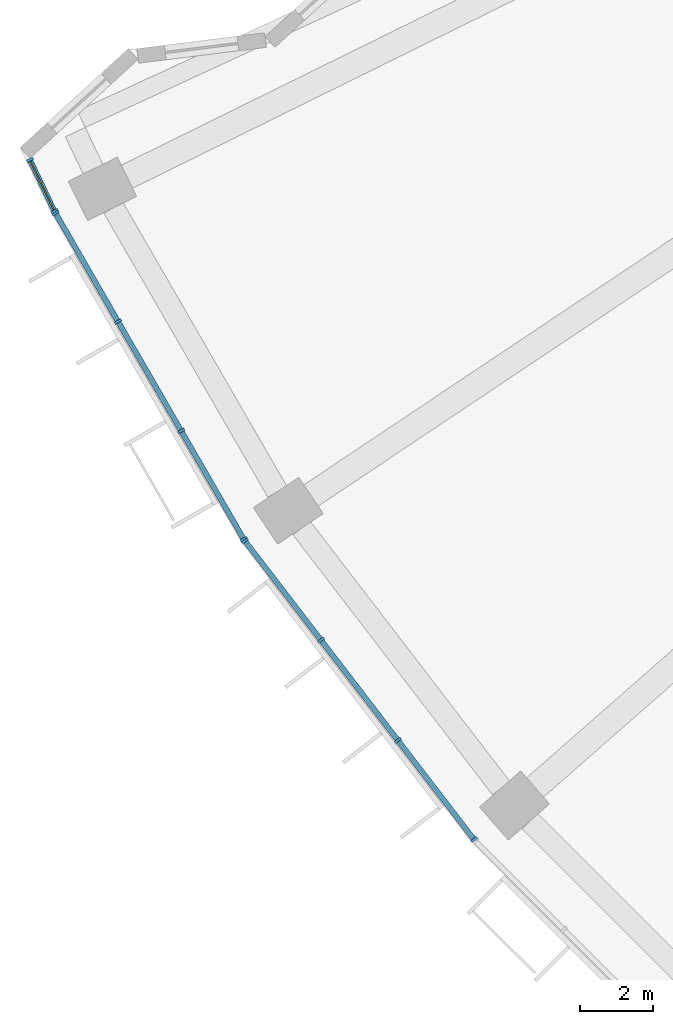
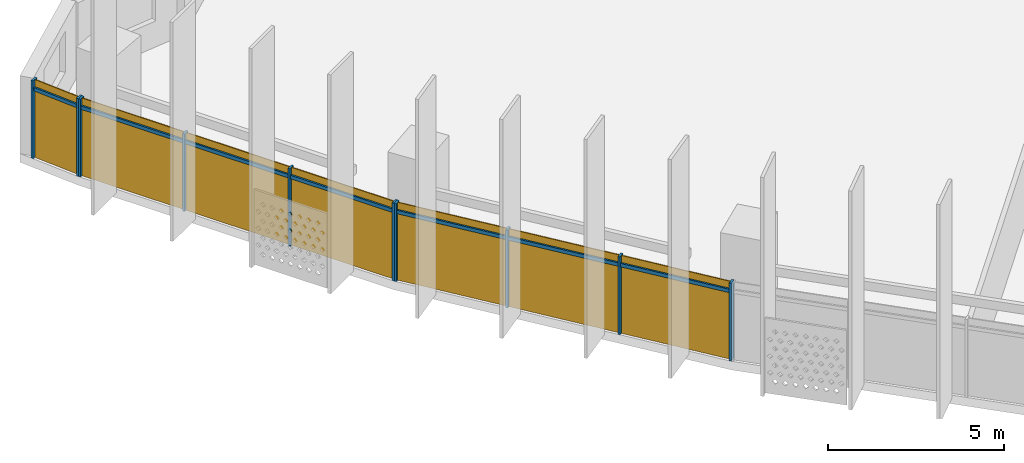
# One storey, part 20 of 30: 17 members, 3 curtain walls.
"""IFC4 building model written with IfcOpenShell, lengths in metres."""

from ifc_helpers import new_model, si_unit, direction, frame, origin, origin_2d, place, context, subcontext, project, spatial, rectangle, extrude, material, material_profile, profile_set, type_object, element, aggregate, save


model = new_model("IFC4")

# Units and contexts
model_context = context("Model", 3, precision=1e-05, world=origin(), true_north=direction((0.0, 1.0)))
body_context = subcontext(model_context, "Body", "Model", "MODEL_VIEW")
ifc_project = project(units=[si_unit("LENGTHUNIT", "METRE"), si_unit("AREAUNIT", "SQUARE_METRE"), si_unit("VOLUMEUNIT", "CUBIC_METRE"), si_unit("PLANEANGLEUNIT", "RADIAN"), si_unit("MASSUNIT", "GRAM", prefix="KILO")], contexts=[model_context])

# Member
ifc_material = material(Name="Aluminium 6063-T6 anodised", Category="aluminium")
ifc_material_profile_1 = material_profile(ifc_material, rectangle(XDim=0.199951171875, YDim=0.070068359375, at=origin_2d()))
ifc_profile_set_1 = profile_set([ifc_material_profile_1], Name="Aluminium 6063-T6 anodised")
member_type_1 = type_object("IfcMemberType", Name="Mullion 70 x 200 aluminium", PredefinedType="MULLION", material=ifc_profile_set_1)
site_placement = place(None, origin())
building_placement = place(site_placement, origin())
storey_placement = place(building_placement, frame((0.0, 0.0, 102.5)))
member_1_placement = place(storey_placement, frame((-71.717041015625, -33.594970703125, 0.0), z_axis=(0.0, 0.0, 1.0), x_axis=(0.902407789125, 0.430883026036, 0.0)))
member_1 = element("IfcMember", 1, at=member_1_placement, type_object=member_type_1, Name="e-cw1-L22-out00/M00", PredefinedType="MULLION", context=body_context, shape_type="SweptSolid", body=[
    extrude(rectangle(XDim=0.199951171875, YDim=0.070068359375, at=origin_2d()), origin(), (0.0, 0.0, 1.0), 2.699951171875),
])

member_2_placement = place(storey_placement, frame((-71.046875, -34.998779296875, 0.0), z_axis=(0.0, 0.0, 1.0), x_axis=(0.902407789125, 0.430883026036, 0.0)))
member_2 = element("IfcMember", 2, at=member_2_placement, type_object=member_type_1, Name="e-cw1-L22-out00/M01", PredefinedType="MULLION", context=body_context, shape_type="SweptSolid", body=[
    extrude(rectangle(XDim=0.199951171875, YDim=0.070068359375, at=origin_2d()), origin(), (0.0, 0.0, 1.0), 2.699951171875),
])

member_3_placement = place(storey_placement, frame((-71.017822265625, -35.0537109375, 0.0), z_axis=(0.0, 0.0, 1.0), x_axis=(0.866025403784, 0.5, 0.0)))
member_3 = element("IfcMember", 3, at=member_3_placement, type_object=member_type_1, Name="e-cw1-L22-out01/M00", PredefinedType="MULLION", context=body_context, shape_type="SweptSolid", body=[
    extrude(rectangle(XDim=0.199951171875, YDim=0.070068359375, at=origin_2d()), origin(), (0.0, 0.0, 1.0), 2.699951171875),
])

member_4_placement = place(storey_placement, frame((-69.306640625, -38.017822265625, 0.0), z_axis=(0.0, 0.0, 1.0), x_axis=(0.866025403784, 0.5, 0.0)))
member_4 = element("IfcMember", 4, at=member_4_placement, type_object=member_type_1, Name="e-cw1-L22-out01/M01", PredefinedType="MULLION", context=body_context, shape_type="SweptSolid", body=[
    extrude(rectangle(XDim=0.199951171875, YDim=0.070068359375, at=origin_2d()), origin(), (0.0, 0.0, 1.0), 2.699951171875),
])

member_5_placement = place(storey_placement, frame((-67.577880859375, -41.01220703125, 0.0), z_axis=(0.0, 0.0, 1.0), x_axis=(0.866025403784, 0.5, 0.0)))
member_5 = element("IfcMember", 5, at=member_5_placement, type_object=member_type_1, Name="e-cw1-L22-out01/M02", PredefinedType="MULLION", context=body_context, shape_type="SweptSolid", body=[
    extrude(rectangle(XDim=0.199951171875, YDim=0.070068359375, at=origin_2d()), origin(), (0.0, 0.0, 1.0), 2.699951171875),
])

member_6_placement = place(storey_placement, frame((-65.866455078125, -43.976318359375, 0.0), z_axis=(0.0, 0.0, 1.0), x_axis=(0.866025403784, 0.5, 0.0)))
member_6 = element("IfcMember", 6, at=member_6_placement, type_object=member_type_1, Name="e-cw1-L22-out01/M03", PredefinedType="MULLION", context=body_context, shape_type="SweptSolid", body=[
    extrude(rectangle(XDim=0.199951171875, YDim=0.070068359375, at=origin_2d()), origin(), (0.0, 0.0, 1.0), 2.699951171875),
])

member_7_placement = place(storey_placement, frame((-65.8349609375, -44.023681640625, 0.0), z_axis=(0.0, 0.0, 1.0), x_axis=(0.793353340291, 0.608761429009, 0.0)))
member_7 = element("IfcMember", 7, at=member_7_placement, type_object=member_type_1, Name="e-cw1-L22-out02/M00", PredefinedType="MULLION", context=body_context, shape_type="SweptSolid", body=[
    extrude(rectangle(XDim=0.199951171875, YDim=0.070068359375, at=origin_2d()), origin(), (0.0, 0.0, 1.0), 2.699951171875),
])

member_8_placement = place(storey_placement, frame((-63.751220703125, -46.739013671875, 0.0), z_axis=(0.0, 0.0, 1.0), x_axis=(0.793353340291, 0.608761429009, 0.0)))
member_8 = element("IfcMember", 8, at=member_8_placement, type_object=member_type_1, Name="e-cw1-L22-out02/M01", PredefinedType="MULLION", context=body_context, shape_type="SweptSolid", body=[
    extrude(rectangle(XDim=0.199951171875, YDim=0.070068359375, at=origin_2d()), origin(), (0.0, 0.0, 1.0), 2.699951171875),
])

member_9_placement = place(storey_placement, frame((-61.646484375, -49.482177734375, 0.0), z_axis=(0.0, 0.0, 1.0), x_axis=(0.793353340291, 0.608761429009, 0.0)))
member_9 = element("IfcMember", 9, at=member_9_placement, type_object=member_type_1, Name="e-cw1-L22-out02/M02", PredefinedType="MULLION", context=body_context, shape_type="SweptSolid", body=[
    extrude(rectangle(XDim=0.199951171875, YDim=0.070068359375, at=origin_2d()), origin(), (0.0, 0.0, 1.0), 2.699951171875),
])

member_10_placement = place(storey_placement, frame((-59.56298828125, -52.197509765625, 0.0), z_axis=(0.0, 0.0, 1.0), x_axis=(0.793353340291, 0.608761429009, 0.0)))
member_10 = element("IfcMember", 10, at=member_10_placement, type_object=member_type_1, Name="e-cw1-L22-out02/M03", PredefinedType="MULLION", context=body_context, shape_type="SweptSolid", body=[
    extrude(rectangle(XDim=0.199951171875, YDim=0.070068359375, at=origin_2d()), origin(), (0.0, 0.0, 1.0), 2.699951171875),
])

ifc_material_profile_2 = material_profile(ifc_material, rectangle(XDim=0.139892578125, YDim=0.1201171875, at=origin_2d()))
ifc_profile_set_2 = profile_set([ifc_material_profile_2], Name="Aluminium 6063-T6 anodised")
member_type_2 = type_object("IfcMemberType", Name="Transom 120 x 140 aluminium", PredefinedType="USERDEFINED", material=ifc_profile_set_2)
member_11_placement = place(storey_placement, frame((-71.7021484375, -33.62646484375, 2.39990234375), z_axis=(0.430839081602, -0.902428770466, 0.0), x_axis=(0.902428770466, 0.430839081602, 0.0)))
member_11 = element("IfcMember", 11, at=member_11_placement, type_object=member_type_2, Name="e-cw1-L22-out00/T00", ObjectType="TRANSOM", PredefinedType="USERDEFINED", context=body_context, shape_type="SweptSolid", body=[
    extrude(rectangle(XDim=0.139892578125, YDim=0.1201171875, at=origin_2d()), origin(), (0.0, 0.0, 1.0), 1.48583984375),
])

member_12_placement = place(storey_placement, frame((-71.00048828125, -35.084228515625, 2.39990234375), z_axis=(0.50006283963, -0.865989120267, 0.0), x_axis=(0.865989120267, 0.50006283963, 0.0)))
member_12 = element("IfcMember", 12, at=member_12_placement, type_object=member_type_2, Name="e-cw1-L22-out01/T00", ObjectType="TRANSOM", PredefinedType="USERDEFINED", context=body_context, shape_type="SweptSolid", body=[
    extrude(rectangle(XDim=0.139892578125, YDim=0.1201171875, at=origin_2d()), origin(), (0.0, 0.0, 1.0), 3.3525390625),
])

member_13_placement = place(storey_placement, frame((-69.2890625, -38.048095703125, 2.39990234375), z_axis=(0.499999017107, -0.866025971257, 0.0), x_axis=(0.866025971257, 0.499999017107, 0.0)))
member_13 = element("IfcMember", 13, at=member_13_placement, type_object=member_type_2, Name="e-cw1-L22-out01/T01", ObjectType="TRANSOM", PredefinedType="USERDEFINED", context=body_context, shape_type="SweptSolid", body=[
    extrude(rectangle(XDim=0.139892578125, YDim=0.1201171875, at=origin_2d()), origin(), (0.0, 0.0, 1.0), 3.3876953125),
])

member_14_placement = place(storey_placement, frame((-67.560302734375, -41.042724609375, 2.39990234375), z_axis=(0.50000822536, -0.866020654818, 0.0), x_axis=(0.866020654818, 0.50000822536, 0.0)))
member_14 = element("IfcMember", 14, at=member_14_placement, type_object=member_type_2, Name="e-cw1-L22-out01/T02", ObjectType="TRANSOM", PredefinedType="USERDEFINED", context=body_context, shape_type="SweptSolid", body=[
    extrude(rectangle(XDim=0.139892578125, YDim=0.1201171875, at=origin_2d()), origin(), (0.0, 0.0, 1.0), 3.3525390625),
])

member_15_placement = place(storey_placement, frame((-65.8134765625, -44.05126953125, 2.39990234375), z_axis=(0.608714331426, -0.793389477316, 0.0), x_axis=(0.793389477316, 0.608714331426, 0.0)))
member_15 = element("IfcMember", 15, at=member_15_placement, type_object=member_type_2, Name="e-cw1-L22-out02/T00", ObjectType="TRANSOM", PredefinedType="USERDEFINED", context=body_context, shape_type="SweptSolid", body=[
    extrude(rectangle(XDim=0.139892578125, YDim=0.1201171875, at=origin_2d()), origin(), (0.0, 0.0, 1.0), 3.3525390625),
])

member_16_placement = place(storey_placement, frame((-63.72998046875, -46.766845703125, 2.39990234375), z_axis=(0.608773427772, -0.793344133173, 0.0), x_axis=(0.793344133173, 0.608773427772, 0.0)))
member_16 = element("IfcMember", 16, at=member_16_placement, type_object=member_type_2, Name="e-cw1-L22-out02/T01", ObjectType="TRANSOM", PredefinedType="USERDEFINED", context=body_context, shape_type="SweptSolid", body=[
    extrude(rectangle(XDim=0.139892578125, YDim=0.1201171875, at=origin_2d()), origin(), (0.0, 0.0, 1.0), 3.387451171875),
])

member_17_placement = place(storey_placement, frame((-61.625244140625, -49.509765625, 2.39990234375), z_axis=(0.608760167055, -0.793354308621, 0.0), x_axis=(0.793354308621, 0.608760167055, 0.0)))
member_17 = element("IfcMember", 17, at=member_17_placement, type_object=member_type_2, Name="e-cw1-L22-out02/T02", ObjectType="TRANSOM", PredefinedType="USERDEFINED", context=body_context, shape_type="SweptSolid", body=[
    extrude(rectangle(XDim=0.139892578125, YDim=0.1201171875, at=origin_2d()), origin(), (0.0, 0.0, 1.0), 3.352783203125),
])

# Site, building, storey
site = spatial("IfcSite", under=ifc_project, at=site_placement, CompositionType="ELEMENT")
building = spatial("IfcBuilding", under=site, at=building_placement, Name="Qamariyya Broadcast Tower", CompositionType="ELEMENT")
storey = spatial("IfcBuildingStorey", under=building, at=storey_placement, Name="L22", CompositionType="ELEMENT", Elevation=102.5)

# Curtain wall
curtain_wall_type = type_object("IfcCurtainWallType", Name="Unitised curtain wall, anodised aluminium", PredefinedType="NOTDEFINED", material=ifc_material)
curtain_wall_1_placement = place(storey_placement, origin())
curtain_wall_1 = element("IfcCurtainWall", 18, at=curtain_wall_1_placement, inside=storey, type_object=curtain_wall_type, Name="e-cw1-L22-out00", PredefinedType="NOTDEFINED", context=body_context, shape_type="SweptSolid", body=[
    extrude(rectangle(XDim=1.485595703125, YDim=0.031982421875, at=origin_2d()), frame((-71.3818359375, -34.296875, 0.0), x_axis=(0.430860237058, -0.902418670087, 0.0)), (0.0, 0.0, 1.0), 2.340087890625),
    extrude(rectangle(XDim=1.485595703125, YDim=0.031982421875, at=origin_2d()), frame((-71.3818359375, -34.296875, 2.4599609375), x_axis=(0.430860237058, -0.902418670087, 0.0)), (0.0, 0.0, 1.0), 0.239990234375),
])

aggregate(curtain_wall_1, [member_1, member_2, member_11])

curtain_wall_2_placement = place(storey_placement, origin())
curtain_wall_2 = element("IfcCurtainWall", 19, at=curtain_wall_2_placement, inside=storey, type_object=curtain_wall_type, Name="e-cw1-L22-out01", PredefinedType="NOTDEFINED", context=body_context, shape_type="SweptSolid", body=[
    extrude(rectangle(XDim=3.352783203125, YDim=0.031982421875, at=origin_2d()), frame((-70.162109375, -36.535888671875, 0.0), x_axis=(0.499996813733, -0.866027243369, 0.0)), (0.0, 0.0, 1.0), 2.340087890625),
    extrude(rectangle(XDim=3.352783203125, YDim=0.031982421875, at=origin_2d()), frame((-70.162109375, -36.535888671875, 2.4599609375), x_axis=(0.499996813733, -0.866027243369, 0.0)), (0.0, 0.0, 1.0), 0.239990234375),
    extrude(rectangle(XDim=3.3876953125, YDim=0.031982421875, at=origin_2d()), frame((-68.442138671875, -39.51513671875, 0.0), x_axis=(0.499996813733, -0.866027243369, 0.0)), (0.0, 0.0, 1.0), 2.340087890625),
    extrude(rectangle(XDim=3.3876953125, YDim=0.031982421875, at=origin_2d()), frame((-68.442138671875, -39.51513671875, 2.4599609375), x_axis=(0.499996813733, -0.866027243369, 0.0)), (0.0, 0.0, 1.0), 0.239990234375),
    extrude(rectangle(XDim=3.352783203125, YDim=0.031982421875, at=origin_2d()), frame((-66.72216796875, -42.494384765625, 0.0), x_axis=(0.499996813733, -0.866027243369, 0.0)), (0.0, 0.0, 1.0), 2.340087890625),
    extrude(rectangle(XDim=3.352783203125, YDim=0.031982421875, at=origin_2d()), frame((-66.72216796875, -42.494384765625, 2.4599609375), x_axis=(0.499996813733, -0.866027243369, 0.0)), (0.0, 0.0, 1.0), 0.239990234375),
])

aggregate(curtain_wall_2, [member_3, member_4, member_5, member_6, member_12, member_13, member_14])

curtain_wall_3_placement = place(storey_placement, origin())
curtain_wall_3 = element("IfcCurtainWall", 20, at=curtain_wall_3_placement, inside=storey, type_object=curtain_wall_type, Name="e-cw1-L22-out02", PredefinedType="NOTDEFINED", context=body_context, shape_type="SweptSolid", body=[
    extrude(rectangle(XDim=3.352783203125, YDim=0.031982421875, at=origin_2d()), frame((-64.793212890625, -45.38134765625, 0.0), x_axis=(0.608760568165, -0.793354000839, 0.0)), (0.0, 0.0, 1.0), 2.340087890625),
    extrude(rectangle(XDim=3.352783203125, YDim=0.031982421875, at=origin_2d()), frame((-64.793212890625, -45.38134765625, 2.4599609375), x_axis=(0.608760568165, -0.793354000839, 0.0)), (0.0, 0.0, 1.0), 0.239990234375),
    extrude(rectangle(XDim=3.3876953125, YDim=0.031982421875, at=origin_2d()), frame((-62.69873046875, -48.110595703125, 0.0), x_axis=(0.608760568165, -0.793354000839, 0.0)), (0.0, 0.0, 1.0), 2.340087890625),
    extrude(rectangle(XDim=3.3876953125, YDim=0.031982421875, at=origin_2d()), frame((-62.69873046875, -48.110595703125, 2.4599609375), x_axis=(0.608760568165, -0.793354000839, 0.0)), (0.0, 0.0, 1.0), 0.239990234375),
    extrude(rectangle(XDim=3.352783203125, YDim=0.031982421875, at=origin_2d()), frame((-60.6044921875, -50.83984375, 0.0), x_axis=(0.608760568165, -0.793354000839, 0.0)), (0.0, 0.0, 1.0), 2.340087890625),
    extrude(rectangle(XDim=3.352783203125, YDim=0.031982421875, at=origin_2d()), frame((-60.6044921875, -50.83984375, 2.4599609375), x_axis=(0.608760568165, -0.793354000839, 0.0)), (0.0, 0.0, 1.0), 0.239990234375),
])

aggregate(curtain_wall_3, [member_7, member_8, member_9, member_10, member_15, member_16, member_17])

save(model, "model.ifc")
